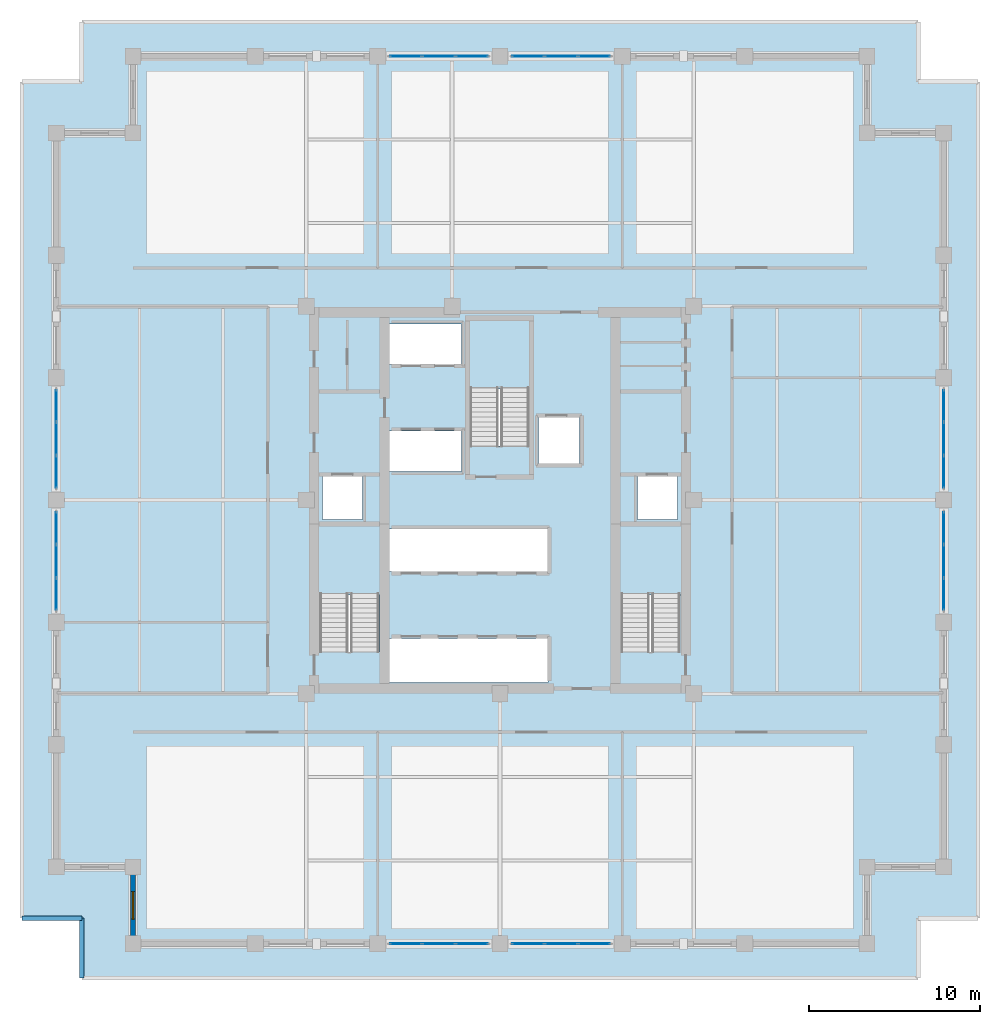
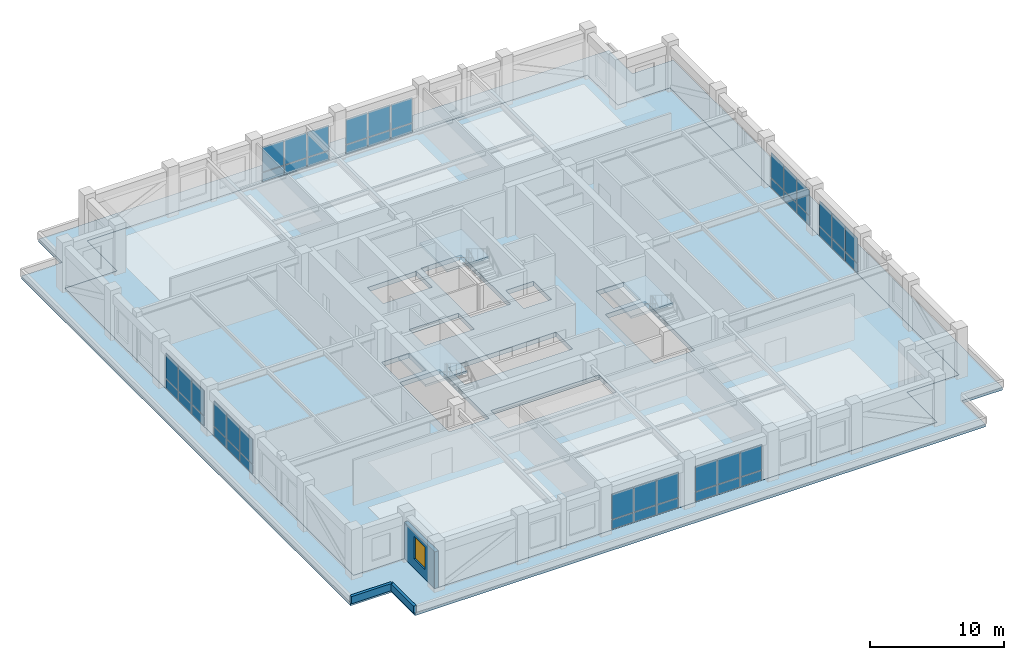
# One storey, part 7 of 16: 48 plates, 5 slabs, 3 walls, 1 window, 1 opening, 11 elements without a shape of their own.
"""IFC4 building model written with IfcOpenShell, lengths in metres."""

import ifcopenshell
import ifcopenshell.guid

model = None  # the IFC model being written
_history = None  # IfcOwnerHistory: only IFC2X3 demands one
_inside = {}  # id of a spatial element -> (the spatial element, [elements in it])
_under = {}  # id of a project, library or spatial element -> (it, [spatial elements below it])
_declared = {}  # id of a project -> (the project, [libraries it declares])
_typed = {}  # id of a type object -> (the type object, [elements of that type])
_made_of = {}  # id of a material, layer set ... -> (it, [elements and type objects made of it])


def new_model(schema):
    """Start an empty IFC model of exactly this schema.

    Asked for "IFC4X3", IfcOpenShell would pick the latest addendum, in which some entities
    have other attributes; the version numbers below select the first issue.
    IFC2X3 requires an IfcOwnerHistory on every rooted entity: one is made here for all.
    """
    global model, _history
    if schema == "IFC4X3":
        model = ifcopenshell.file(schema_version=(4, 3, 0, 0))
    else:
        model = ifcopenshell.file(schema=schema)
    _inside.clear()
    _under.clear()
    _declared.clear()
    _typed.clear()
    _made_of.clear()
    _history = None
    if model.schema == "IFC2X3":
        org = make("IfcOrganization", Name="unknown")
        user = make(
            "IfcPersonAndOrganization",
            ThePerson=make("IfcPerson", FamilyName="unknown"),
            TheOrganization=org,
        )
        app = make(
            "IfcApplication",
            ApplicationDeveloper=org,
            Version="unknown",
            ApplicationFullName="unknown",
            ApplicationIdentifier="unknown",
        )
        _history = make(
            "IfcOwnerHistory",
            OwningUser=user,
            OwningApplication=app,
            ChangeAction="ADDED",
            CreationDate=0,
        )
    return model


def make(cls, **values):
    """One entity of the class cls with the attributes given. An attribute that is None is left unset."""
    return model.create_entity(
        cls, **{name: value for name, value in values.items() if value is not None}
    )


def rooted(cls, **values):
    """An entity with a GlobalId (a new one), such as an element, a storey or a relation."""
    return make(cls, GlobalId=ifcopenshell.guid.new(), OwnerHistory=_history, **values)


def si_unit(unit_type, name, prefix=None):
    """IfcSIUnit, for example si_unit("LENGTHUNIT", "METRE", prefix="MILLI")."""
    return make("IfcSIUnit", UnitType=unit_type, Prefix=prefix, Name=name)


def assignment(units):
    """IfcUnitAssignment: the units of a project."""
    return None if units is None else make("IfcUnitAssignment", Units=units)


def point(xyz):
    """IfcCartesianPoint."""
    return None if xyz is None else make("IfcCartesianPoint", Coordinates=xyz)


def direction(xyz):
    """IfcDirection."""
    return None if xyz is None else make("IfcDirection", DirectionRatios=xyz)


def frame(location, z_axis=None, x_axis=None):
    """IfcAxis2Placement3D, a coordinate frame: its origin and axes. An axis left out is left unset."""
    return make(
        "IfcAxis2Placement3D",
        Location=point(location),
        Axis=direction(z_axis),
        RefDirection=direction(x_axis),
    )


def frame_2d(location, x_axis=None):
    """IfcAxis2Placement2D, a coordinate frame in the plane: its origin and x axis."""
    return make(
        "IfcAxis2Placement2D", Location=point(location), RefDirection=direction(x_axis)
    )


def origin():
    """The frame at (0, 0, 0) with its axes left unset."""
    return frame((0.0, 0.0, 0.0))


def origin_2d():
    """The frame at (0, 0) in the plane with its x axis left unset."""
    return frame_2d((0.0, 0.0))


def place(relative_to, where):
    """IfcLocalPlacement: puts the frame where relative to a parent placement (None: the world)."""
    return make(
        "IfcLocalPlacement", PlacementRelTo=relative_to, RelativePlacement=where
    )


def context(
    kind, dimensions, precision=None, world=None, true_north=None, identifier=None
):
    """IfcGeometricRepresentationContext, for example the 3D "Model" context."""
    return make(
        "IfcGeometricRepresentationContext",
        ContextIdentifier=identifier,
        ContextType=kind,
        CoordinateSpaceDimension=dimensions,
        Precision=precision,
        WorldCoordinateSystem=world,
        TrueNorth=true_north,
    )


def subcontext(parent, identifier, kind, view, scale=None):
    """IfcGeometricRepresentationSubContext, for example "Body" below "Model"."""
    return make(
        "IfcGeometricRepresentationSubContext",
        ContextIdentifier=identifier,
        ContextType=kind,
        ParentContext=parent,
        TargetScale=scale,
        TargetView=view,
    )


def project(units=None, contexts=None):
    """IfcProject with its units and contexts."""
    return rooted(
        "IfcProject",
        Name="project",
        RepresentationContexts=contexts,
        UnitsInContext=assignment(units),
    )


def spatial(cls, under=None, at=None, **own):
    """A site, building, storey or space (cls), placed at a placement, below another one or the project."""
    s = rooted(cls, ObjectPlacement=at, **own)
    if under is not None:
        _under.setdefault(under.id(), (under, []))[1].append(s)
    return s


def polyline(points):
    """IfcPolyline through the points."""
    return make("IfcPolyline", Points=[point(p) for p in points])


def profile(cls, at=None, kind="AREA", **sizes):
    """A parametric profile (cls). Its sizes go by their IFC names, for example OverallWidth=200.0."""
    return make(cls, ProfileType=kind, Position=at, **sizes)


def rectangle(**sizes):
    """IfcRectangleProfileDef."""
    return profile("IfcRectangleProfileDef", **sizes)


def outline(outer, holes=None, kind="AREA"):
    """IfcArbitraryClosedProfileDef: a profile drawn as a closed curve; with holes, ...WithVoids."""
    if holes is None:
        return make("IfcArbitraryClosedProfileDef", ProfileType=kind, OuterCurve=outer)
    return make(
        "IfcArbitraryProfileDefWithVoids",
        ProfileType=kind,
        OuterCurve=outer,
        InnerCurves=holes,
    )


def extrude(swept, where, along, depth):
    """IfcExtrudedAreaSolid: the profile swept, set in the frame where, extruded along a direction by depth."""
    return make(
        "IfcExtrudedAreaSolid",
        SweptArea=swept,
        Position=where,
        ExtrudedDirection=direction(along),
        Depth=depth,
    )


def shape(context_of_items, identifier, shape_type, items):
    """IfcShapeRepresentation: the items that make up one representation, for example the "Body"."""
    return make(
        "IfcShapeRepresentation",
        ContextOfItems=context_of_items,
        RepresentationIdentifier=identifier,
        RepresentationType=shape_type,
        Items=items,
    )


def material(Name=None, Category=None):
    """IfcMaterial."""
    return make("IfcMaterial", Name=Name, Category=Category)


def layer(
    of_material, thickness, ventilated=None, Name=None, Category=None, Priority=None
):
    """IfcMaterialLayer: one layer of a wall or slab, of a material (None: an air gap)."""
    return make(
        "IfcMaterialLayer",
        Material=of_material,
        LayerThickness=thickness,
        IsVentilated=ventilated,
        Name=Name,
        Category=Category,
        Priority=Priority,
    )


def layer_set(layers, Name=None):
    """IfcMaterialLayerSet."""
    return make("IfcMaterialLayerSet", MaterialLayers=layers, LayerSetName=Name)


def made_of(thing, what):
    """Note that an element or type object is made of a material, layer set ...; save() writes the relation."""
    if what is not None:
        _made_of.setdefault(what.id(), (what, []))[1].append(thing)
    return thing


def type_object(cls, material=None, **own):
    """A type object (cls), such as IfcWallType, which elements share."""
    return made_of(rooted(cls, **own), material)


def element(
    cls,
    number,
    at=None,
    inside=None,
    cuts=None,
    type_object=None,
    material=None,
    context=None,
    identifier="Body",
    shape_type=None,
    held_by="IfcProductDefinitionShape",
    body=None,
    shapes=None,
    **own,
):
    """One element of the class cls, such as IfcWall. Its Tag is "e" and its number.

    at: its placement. inside: the storey or other place that contains it. cuts: it is an
    opening in that element (IfcRelVoidsElement). A single representation is given by context,
    identifier, shape_type and body (its items); several are given by shapes. held_by: the class
    of the entity that holds the representations. save() writes the other relations.
    """
    e = rooted(cls, Tag="e%d" % number, ObjectPlacement=at, **own)
    if body is not None:
        shapes = [shape(context, identifier, shape_type, body)]
    if shapes is not None:
        e.Representation = make(held_by, Representations=shapes)
    if inside is not None:
        _inside.setdefault(inside.id(), (inside, []))[1].append(e)
    if cuts is not None:
        rooted(
            "IfcRelVoidsElement", RelatingBuildingElement=cuts, RelatedOpeningElement=e
        )
    if type_object is not None:
        _typed.setdefault(type_object.id(), (type_object, []))[1].append(e)
    return made_of(e, material)


def fill(opening, filler):
    """IfcRelFillsElement: the door or window that sits in an opening."""
    return rooted(
        "IfcRelFillsElement",
        RelatingOpeningElement=opening,
        RelatedBuildingElement=filler,
    )


def aggregate(whole, parts):
    """IfcRelAggregates: a whole, such as a stair, and the parts it consists of."""
    return rooted("IfcRelAggregates", RelatingObject=whole, RelatedObjects=parts)


def save(model, path):
    """Write the relations noted so far, then the file.

    IfcRelAggregates (storeys below a building ...), IfcRelContainedInSpatialStructure (elements
    in a storey), IfcRelDefinesByType, IfcRelAssociatesMaterial and IfcRelDeclares: one each for
    every whole, place, type object, material and project.
    """
    for whole, parts in _under.values():
        aggregate(whole, parts)
    for where, things in _inside.values():
        rooted(
            "IfcRelContainedInSpatialStructure",
            RelatedElements=things,
            RelatingStructure=where,
        )
    for kind, things in _typed.values():
        rooted("IfcRelDefinesByType", RelatedObjects=things, RelatingType=kind)
    for what, things in _made_of.values():
        rooted("IfcRelAssociatesMaterial", RelatedObjects=things, RelatingMaterial=what)
    for by, libraries in _declared.values():
        rooted("IfcRelDeclares", RelatingContext=by, RelatedDefinitions=libraries)
    model.write(path)


model = new_model("IFC4")

# Units and contexts
model_context = context("Model", 3, precision=1e-05, world=origin(), true_north=direction((0.0, 1.0)))
body_context = subcontext(model_context, "Body", "Model", "MODEL_VIEW")
ifc_project = project(units=[si_unit("LENGTHUNIT", "METRE"), si_unit("AREAUNIT", "SQUARE_METRE"), si_unit("VOLUMEUNIT", "CUBIC_METRE"), si_unit("PLANEANGLEUNIT", "RADIAN"), si_unit("MASSUNIT", "GRAM", prefix="KILO")], contexts=[model_context])

# Site, building, storey
site_placement = place(None, origin())
site = spatial("IfcSite", under=ifc_project, at=site_placement, CompositionType="ELEMENT")
building_placement = place(site_placement, origin())
building = spatial("IfcBuilding", under=site, at=building_placement, Name="Nhamokura Convention Tower", CompositionType="ELEMENT")
storey_placement = place(building_placement, frame((0.0, 0.0, 106.050048828125)))
storey = spatial("IfcBuildingStorey", under=building, at=storey_placement, Name="L25", CompositionType="ELEMENT", Elevation=106.050048828125)

# Curtain wall, plates
ifc_material_1 = material(Name="Anodised bronze aluminium AA6063-T6", Category="aluminium")
ifc_layer_1 = layer(ifc_material_1, 0.18994140625)
ifc_layer_set_1 = layer_set([ifc_layer_1], Name="CWSystem_SkyLobby")
curtain_wall_type = type_object("IfcCurtainWallType", Name="CWSystem_SkyLobby", PredefinedType="NOTDEFINED", material=ifc_layer_set_1)
curtain_wall_1_placement = place(storey_placement, origin())
curtain_wall_1 = element("IfcCurtainWall", 1, at=curtain_wall_1_placement, inside=storey, type_object=curtain_wall_type, Name="L25 Curtain Wall ENV-L25-CW-S2", PredefinedType="NOTDEFINED")
ifc_material_2 = material(Name="Solar-control bronze low-E double glass", Category="glass")
ifc_layer_2 = layer(ifc_material_2, 0.0400390625)
ifc_layer_set_2 = layer_set([ifc_layer_2], Name="CWGlazedPanel_3")
plate_type = type_object("IfcPlateType", Name="CWGlazedPanel_3", PredefinedType="CURTAIN_PANEL", material=ifc_layer_set_2)
plate_1_placement = place(storey_placement, frame((30.353515625, 6.0, 0.074951171875), z_axis=(0.0, 0.0, 1.0), x_axis=(-1.0, 0.0, 0.0)))
plate_1 = element("IfcPlate", 2, at=plate_1_placement, type_object=plate_type, Name="CW-06 panel 1.1", PredefinedType="CURTAIN_PANEL", context=body_context, shape_type="SweptSolid", body=[
    extrude(rectangle(XDim=1.843017578125, YDim=0.0400390625, at=origin_2d()), origin(), (0.0, 0.0, 1.0), 0.83740234375),
])
plate_2_placement = place(storey_placement, frame((30.353515625, 6.0, 0.9873046875), z_axis=(0.0, 0.0, 1.0), x_axis=(-1.0, 0.0, 0.0)))
plate_2 = element("IfcPlate", 3, at=plate_2_placement, type_object=plate_type, Name="CW-06 panel 1.2", PredefinedType="CURTAIN_PANEL", context=body_context, shape_type="SweptSolid", body=[
    extrude(rectangle(XDim=1.843017578125, YDim=0.0400390625, at=origin_2d()), origin(), (0.0, 0.0, 1.0), 2.267578125),
])
plate_3_placement = place(storey_placement, frame((28.416748046875, 6.0, 0.074951171875), z_axis=(0.0, 0.0, 1.0), x_axis=(-1.0, 0.0, 0.0)))
plate_3 = element("IfcPlate", 4, at=plate_3_placement, type_object=plate_type, Name="CW-06 panel 2.1", PredefinedType="CURTAIN_PANEL", context=body_context, shape_type="SweptSolid", body=[
    extrude(rectangle(XDim=1.880615234375, YDim=0.0400390625, at=origin_2d()), origin(), (0.0, 0.0, 1.0), 0.83740234375),
])
plate_4_placement = place(storey_placement, frame((28.416748046875, 6.0, 0.9873046875), z_axis=(0.0, 0.0, 1.0), x_axis=(-1.0, 0.0, 0.0)))
plate_4 = element("IfcPlate", 5, at=plate_4_placement, type_object=plate_type, Name="CW-06 panel 2.2", PredefinedType="CURTAIN_PANEL", context=body_context, shape_type="SweptSolid", body=[
    extrude(rectangle(XDim=1.880615234375, YDim=0.0400390625, at=origin_2d()), origin(), (0.0, 0.0, 1.0), 2.267578125),
])
plate_5_placement = place(storey_placement, frame((26.479736328125, 6.0, 0.074951171875), z_axis=(0.0, 0.0, 1.0), x_axis=(-1.0, 0.0, 0.0)))
plate_5 = element("IfcPlate", 6, at=plate_5_placement, type_object=plate_type, Name="CW-06 panel 3.1", PredefinedType="CURTAIN_PANEL", context=body_context, shape_type="SweptSolid", body=[
    extrude(rectangle(XDim=1.843017578125, YDim=0.0400390625, at=origin_2d()), origin(), (0.0, 0.0, 1.0), 0.83740234375),
])
plate_6_placement = place(storey_placement, frame((26.479736328125, 6.0, 0.9873046875), z_axis=(0.0, 0.0, 1.0), x_axis=(-1.0, 0.0, 0.0)))
plate_6 = element("IfcPlate", 7, at=plate_6_placement, type_object=plate_type, Name="CW-06 panel 3.2", PredefinedType="CURTAIN_PANEL", context=body_context, shape_type="SweptSolid", body=[
    extrude(rectangle(XDim=1.843017578125, YDim=0.0400390625, at=origin_2d()), origin(), (0.0, 0.0, 1.0), 2.267578125),
])
aggregate(curtain_wall_1, [plate_1, plate_2, plate_3, plate_4, plate_5, plate_6])

curtain_wall_2_placement = place(storey_placement, origin())
curtain_wall_2 = element("IfcCurtainWall", 8, at=curtain_wall_2_placement, inside=storey, type_object=curtain_wall_type, Name="L25 Curtain Wall ENV-L25-CW-S3", PredefinedType="NOTDEFINED")
plate_7_placement = place(storey_placement, frame((37.520263671875, 6.0, 0.074951171875), z_axis=(0.0, 0.0, 1.0), x_axis=(-1.0, 0.0, 0.0)))
plate_7 = element("IfcPlate", 9, at=plate_7_placement, type_object=plate_type, Name="CW-06 panel 1.1", PredefinedType="CURTAIN_PANEL", context=body_context, shape_type="SweptSolid", body=[
    extrude(rectangle(XDim=1.843017578125, YDim=0.0400390625, at=origin_2d()), origin(), (0.0, 0.0, 1.0), 0.83740234375),
])
plate_8_placement = place(storey_placement, frame((37.520263671875, 6.0, 0.9873046875), z_axis=(0.0, 0.0, 1.0), x_axis=(-1.0, 0.0, 0.0)))
plate_8 = element("IfcPlate", 10, at=plate_8_placement, type_object=plate_type, Name="CW-06 panel 1.2", PredefinedType="CURTAIN_PANEL", context=body_context, shape_type="SweptSolid", body=[
    extrude(rectangle(XDim=1.843017578125, YDim=0.0400390625, at=origin_2d()), origin(), (0.0, 0.0, 1.0), 2.267578125),
])
plate_9_placement = place(storey_placement, frame((35.583251953125, 6.0, 0.074951171875), z_axis=(0.0, 0.0, 1.0), x_axis=(-1.0, 0.0, 0.0)))
plate_9 = element("IfcPlate", 11, at=plate_9_placement, type_object=plate_type, Name="CW-06 panel 2.1", PredefinedType="CURTAIN_PANEL", context=body_context, shape_type="SweptSolid", body=[
    extrude(rectangle(XDim=1.880615234375, YDim=0.0400390625, at=origin_2d()), origin(), (0.0, 0.0, 1.0), 0.83740234375),
])
plate_10_placement = place(storey_placement, frame((35.583251953125, 6.0, 0.9873046875), z_axis=(0.0, 0.0, 1.0), x_axis=(-1.0, 0.0, 0.0)))
plate_10 = element("IfcPlate", 12, at=plate_10_placement, type_object=plate_type, Name="CW-06 panel 2.2", PredefinedType="CURTAIN_PANEL", context=body_context, shape_type="SweptSolid", body=[
    extrude(rectangle(XDim=1.880615234375, YDim=0.0400390625, at=origin_2d()), origin(), (0.0, 0.0, 1.0), 2.267578125),
])
plate_11_placement = place(storey_placement, frame((33.646484375, 6.0, 0.074951171875), z_axis=(0.0, 0.0, 1.0), x_axis=(-1.0, 0.0, 0.0)))
plate_11 = element("IfcPlate", 13, at=plate_11_placement, type_object=plate_type, Name="CW-06 panel 3.1", PredefinedType="CURTAIN_PANEL", context=body_context, shape_type="SweptSolid", body=[
    extrude(rectangle(XDim=1.843017578125, YDim=0.0400390625, at=origin_2d()), origin(), (0.0, 0.0, 1.0), 0.83740234375),
])
plate_12_placement = place(storey_placement, frame((33.646484375, 6.0, 0.9873046875), z_axis=(0.0, 0.0, 1.0), x_axis=(-1.0, 0.0, 0.0)))
plate_12 = element("IfcPlate", 14, at=plate_12_placement, type_object=plate_type, Name="CW-06 panel 3.2", PredefinedType="CURTAIN_PANEL", context=body_context, shape_type="SweptSolid", body=[
    extrude(rectangle(XDim=1.843017578125, YDim=0.0400390625, at=origin_2d()), origin(), (0.0, 0.0, 1.0), 2.267578125),
])
aggregate(curtain_wall_2, [plate_7, plate_8, plate_9, plate_10, plate_11, plate_12])

curtain_wall_3_placement = place(storey_placement, origin())
curtain_wall_3 = element("IfcCurtainWall", 15, at=curtain_wall_3_placement, inside=storey, type_object=curtain_wall_type, Name="L25 Curtain Wall ENV-L25-CW-N2", PredefinedType="NOTDEFINED")
plate_13_placement = place(storey_placement, frame((26.479736328125, 58.0, 0.074951171875), z_axis=(0.0, 0.0, 1.0), x_axis=(1.0, 0.0, 0.0)))
plate_13 = element("IfcPlate", 16, at=plate_13_placement, type_object=plate_type, Name="CW-06 panel 1.1", PredefinedType="CURTAIN_PANEL", context=body_context, shape_type="SweptSolid", body=[
    extrude(rectangle(XDim=1.843017578125, YDim=0.0400390625, at=origin_2d()), origin(), (0.0, 0.0, 1.0), 0.83740234375),
])
plate_14_placement = place(storey_placement, frame((26.479736328125, 58.0, 0.9873046875), z_axis=(0.0, 0.0, 1.0), x_axis=(1.0, 0.0, 0.0)))
plate_14 = element("IfcPlate", 17, at=plate_14_placement, type_object=plate_type, Name="CW-06 panel 1.2", PredefinedType="CURTAIN_PANEL", context=body_context, shape_type="SweptSolid", body=[
    extrude(rectangle(XDim=1.843017578125, YDim=0.0400390625, at=origin_2d()), origin(), (0.0, 0.0, 1.0), 2.267578125),
])
plate_15_placement = place(storey_placement, frame((28.416748046875, 58.0, 0.074951171875), z_axis=(0.0, 0.0, 1.0), x_axis=(1.0, 0.0, 0.0)))
plate_15 = element("IfcPlate", 18, at=plate_15_placement, type_object=plate_type, Name="CW-06 panel 2.1", PredefinedType="CURTAIN_PANEL", context=body_context, shape_type="SweptSolid", body=[
    extrude(rectangle(XDim=1.880615234375, YDim=0.0400390625, at=origin_2d()), origin(), (0.0, 0.0, 1.0), 0.83740234375),
])
plate_16_placement = place(storey_placement, frame((28.416748046875, 58.0, 0.9873046875), z_axis=(0.0, 0.0, 1.0), x_axis=(1.0, 0.0, 0.0)))
plate_16 = element("IfcPlate", 19, at=plate_16_placement, type_object=plate_type, Name="CW-06 panel 2.2", PredefinedType="CURTAIN_PANEL", context=body_context, shape_type="SweptSolid", body=[
    extrude(rectangle(XDim=1.880615234375, YDim=0.0400390625, at=origin_2d()), origin(), (0.0, 0.0, 1.0), 2.267578125),
])
plate_17_placement = place(storey_placement, frame((30.353515625, 58.0, 0.074951171875), z_axis=(0.0, 0.0, 1.0), x_axis=(1.0, 0.0, 0.0)))
plate_17 = element("IfcPlate", 20, at=plate_17_placement, type_object=plate_type, Name="CW-06 panel 3.1", PredefinedType="CURTAIN_PANEL", context=body_context, shape_type="SweptSolid", body=[
    extrude(rectangle(XDim=1.843017578125, YDim=0.0400390625, at=origin_2d()), origin(), (0.0, 0.0, 1.0), 0.83740234375),
])
plate_18_placement = place(storey_placement, frame((30.353515625, 58.0, 0.9873046875), z_axis=(0.0, 0.0, 1.0), x_axis=(1.0, 0.0, 0.0)))
plate_18 = element("IfcPlate", 21, at=plate_18_placement, type_object=plate_type, Name="CW-06 panel 3.2", PredefinedType="CURTAIN_PANEL", context=body_context, shape_type="SweptSolid", body=[
    extrude(rectangle(XDim=1.843017578125, YDim=0.0400390625, at=origin_2d()), origin(), (0.0, 0.0, 1.0), 2.267578125),
])
aggregate(curtain_wall_3, [plate_13, plate_14, plate_15, plate_16, plate_17, plate_18])

curtain_wall_4_placement = place(storey_placement, origin())
curtain_wall_4 = element("IfcCurtainWall", 22, at=curtain_wall_4_placement, inside=storey, type_object=curtain_wall_type, Name="L25 Curtain Wall ENV-L25-CW-N3", PredefinedType="NOTDEFINED")
plate_19_placement = place(storey_placement, frame((33.646484375, 58.0, 0.074951171875), z_axis=(0.0, 0.0, 1.0), x_axis=(1.0, 0.0, 0.0)))
plate_19 = element("IfcPlate", 23, at=plate_19_placement, type_object=plate_type, Name="CW-06 panel 1.1", PredefinedType="CURTAIN_PANEL", context=body_context, shape_type="SweptSolid", body=[
    extrude(rectangle(XDim=1.843017578125, YDim=0.0400390625, at=origin_2d()), origin(), (0.0, 0.0, 1.0), 0.83740234375),
])
plate_20_placement = place(storey_placement, frame((33.646484375, 58.0, 0.9873046875), z_axis=(0.0, 0.0, 1.0), x_axis=(1.0, 0.0, 0.0)))
plate_20 = element("IfcPlate", 24, at=plate_20_placement, type_object=plate_type, Name="CW-06 panel 1.2", PredefinedType="CURTAIN_PANEL", context=body_context, shape_type="SweptSolid", body=[
    extrude(rectangle(XDim=1.843017578125, YDim=0.0400390625, at=origin_2d()), origin(), (0.0, 0.0, 1.0), 2.267578125),
])
plate_21_placement = place(storey_placement, frame((35.583251953125, 58.0, 0.074951171875), z_axis=(0.0, 0.0, 1.0), x_axis=(1.0, 0.0, 0.0)))
plate_21 = element("IfcPlate", 25, at=plate_21_placement, type_object=plate_type, Name="CW-06 panel 2.1", PredefinedType="CURTAIN_PANEL", context=body_context, shape_type="SweptSolid", body=[
    extrude(rectangle(XDim=1.880615234375, YDim=0.0400390625, at=origin_2d()), origin(), (0.0, 0.0, 1.0), 0.83740234375),
])
plate_22_placement = place(storey_placement, frame((35.583251953125, 58.0, 0.9873046875), z_axis=(0.0, 0.0, 1.0), x_axis=(1.0, 0.0, 0.0)))
plate_22 = element("IfcPlate", 26, at=plate_22_placement, type_object=plate_type, Name="CW-06 panel 2.2", PredefinedType="CURTAIN_PANEL", context=body_context, shape_type="SweptSolid", body=[
    extrude(rectangle(XDim=1.880615234375, YDim=0.0400390625, at=origin_2d()), origin(), (0.0, 0.0, 1.0), 2.267578125),
])
plate_23_placement = place(storey_placement, frame((37.520263671875, 58.0, 0.074951171875), z_axis=(0.0, 0.0, 1.0), x_axis=(1.0, 0.0, 0.0)))
plate_23 = element("IfcPlate", 27, at=plate_23_placement, type_object=plate_type, Name="CW-06 panel 3.1", PredefinedType="CURTAIN_PANEL", context=body_context, shape_type="SweptSolid", body=[
    extrude(rectangle(XDim=1.843017578125, YDim=0.0400390625, at=origin_2d()), origin(), (0.0, 0.0, 1.0), 0.83740234375),
])
plate_24_placement = place(storey_placement, frame((37.520263671875, 58.0, 0.9873046875), z_axis=(0.0, 0.0, 1.0), x_axis=(1.0, 0.0, 0.0)))
plate_24 = element("IfcPlate", 28, at=plate_24_placement, type_object=plate_type, Name="CW-06 panel 3.2", PredefinedType="CURTAIN_PANEL", context=body_context, shape_type="SweptSolid", body=[
    extrude(rectangle(XDim=1.843017578125, YDim=0.0400390625, at=origin_2d()), origin(), (0.0, 0.0, 1.0), 2.267578125),
])
aggregate(curtain_wall_4, [plate_19, plate_20, plate_21, plate_22, plate_23, plate_24])

curtain_wall_5_placement = place(storey_placement, origin())
curtain_wall_5 = element("IfcCurtainWall", 29, at=curtain_wall_5_placement, inside=storey, type_object=curtain_wall_type, Name="L25 Curtain Wall ENV-L25-CW-W2", PredefinedType="NOTDEFINED")
plate_25_placement = place(storey_placement, frame((6.0, 26.479736328125, 0.074951171875), z_axis=(0.0, 0.0, 1.0), x_axis=(0.0, 1.0, 0.0)))
plate_25 = element("IfcPlate", 30, at=plate_25_placement, type_object=plate_type, Name="CW-06 panel 1.1", PredefinedType="CURTAIN_PANEL", context=body_context, shape_type="SweptSolid", body=[
    extrude(rectangle(XDim=1.843017578125, YDim=0.0400390625, at=origin_2d()), origin(), (0.0, 0.0, 1.0), 0.83740234375),
])
plate_26_placement = place(storey_placement, frame((6.0, 26.479736328125, 0.9873046875), z_axis=(0.0, 0.0, 1.0), x_axis=(0.0, 1.0, 0.0)))
plate_26 = element("IfcPlate", 31, at=plate_26_placement, type_object=plate_type, Name="CW-06 panel 1.2", PredefinedType="CURTAIN_PANEL", context=body_context, shape_type="SweptSolid", body=[
    extrude(rectangle(XDim=1.843017578125, YDim=0.0400390625, at=origin_2d()), origin(), (0.0, 0.0, 1.0), 2.267578125),
])
plate_27_placement = place(storey_placement, frame((6.0, 28.416748046875, 0.074951171875), z_axis=(0.0, 0.0, 1.0), x_axis=(0.0, 1.0, 0.0)))
plate_27 = element("IfcPlate", 32, at=plate_27_placement, type_object=plate_type, Name="CW-06 panel 2.1", PredefinedType="CURTAIN_PANEL", context=body_context, shape_type="SweptSolid", body=[
    extrude(rectangle(XDim=1.880615234375, YDim=0.0400390625, at=origin_2d()), origin(), (0.0, 0.0, 1.0), 0.83740234375),
])
plate_28_placement = place(storey_placement, frame((6.0, 28.416748046875, 0.9873046875), z_axis=(0.0, 0.0, 1.0), x_axis=(0.0, 1.0, 0.0)))
plate_28 = element("IfcPlate", 33, at=plate_28_placement, type_object=plate_type, Name="CW-06 panel 2.2", PredefinedType="CURTAIN_PANEL", context=body_context, shape_type="SweptSolid", body=[
    extrude(rectangle(XDim=1.880615234375, YDim=0.0400390625, at=origin_2d()), origin(), (0.0, 0.0, 1.0), 2.267578125),
])
plate_29_placement = place(storey_placement, frame((6.0, 30.353515625, 0.074951171875), z_axis=(0.0, 0.0, 1.0), x_axis=(0.0, 1.0, 0.0)))
plate_29 = element("IfcPlate", 34, at=plate_29_placement, type_object=plate_type, Name="CW-06 panel 3.1", PredefinedType="CURTAIN_PANEL", context=body_context, shape_type="SweptSolid", body=[
    extrude(rectangle(XDim=1.843017578125, YDim=0.0400390625, at=origin_2d()), origin(), (0.0, 0.0, 1.0), 0.83740234375),
])
plate_30_placement = place(storey_placement, frame((6.0, 30.353515625, 0.9873046875), z_axis=(0.0, 0.0, 1.0), x_axis=(0.0, 1.0, 0.0)))
plate_30 = element("IfcPlate", 35, at=plate_30_placement, type_object=plate_type, Name="CW-06 panel 3.2", PredefinedType="CURTAIN_PANEL", context=body_context, shape_type="SweptSolid", body=[
    extrude(rectangle(XDim=1.843017578125, YDim=0.0400390625, at=origin_2d()), origin(), (0.0, 0.0, 1.0), 2.267578125),
])
aggregate(curtain_wall_5, [plate_25, plate_26, plate_27, plate_28, plate_29, plate_30])

curtain_wall_6_placement = place(storey_placement, origin())
curtain_wall_6 = element("IfcCurtainWall", 36, at=curtain_wall_6_placement, inside=storey, type_object=curtain_wall_type, Name="L25 Curtain Wall ENV-L25-CW-W3", PredefinedType="NOTDEFINED")
plate_31_placement = place(storey_placement, frame((6.0, 33.646484375, 0.074951171875), z_axis=(0.0, 0.0, 1.0), x_axis=(0.0, 1.0, 0.0)))
plate_31 = element("IfcPlate", 37, at=plate_31_placement, type_object=plate_type, Name="CW-06 panel 1.1", PredefinedType="CURTAIN_PANEL", context=body_context, shape_type="SweptSolid", body=[
    extrude(rectangle(XDim=1.843017578125, YDim=0.0400390625, at=origin_2d()), origin(), (0.0, 0.0, 1.0), 0.83740234375),
])
plate_32_placement = place(storey_placement, frame((6.0, 33.646484375, 0.9873046875), z_axis=(0.0, 0.0, 1.0), x_axis=(0.0, 1.0, 0.0)))
plate_32 = element("IfcPlate", 38, at=plate_32_placement, type_object=plate_type, Name="CW-06 panel 1.2", PredefinedType="CURTAIN_PANEL", context=body_context, shape_type="SweptSolid", body=[
    extrude(rectangle(XDim=1.843017578125, YDim=0.0400390625, at=origin_2d()), origin(), (0.0, 0.0, 1.0), 2.267578125),
])
plate_33_placement = place(storey_placement, frame((6.0, 35.583251953125, 0.074951171875), z_axis=(0.0, 0.0, 1.0), x_axis=(0.0, 1.0, 0.0)))
plate_33 = element("IfcPlate", 39, at=plate_33_placement, type_object=plate_type, Name="CW-06 panel 2.1", PredefinedType="CURTAIN_PANEL", context=body_context, shape_type="SweptSolid", body=[
    extrude(rectangle(XDim=1.880615234375, YDim=0.0400390625, at=origin_2d()), origin(), (0.0, 0.0, 1.0), 0.83740234375),
])
plate_34_placement = place(storey_placement, frame((6.0, 35.583251953125, 0.9873046875), z_axis=(0.0, 0.0, 1.0), x_axis=(0.0, 1.0, 0.0)))
plate_34 = element("IfcPlate", 40, at=plate_34_placement, type_object=plate_type, Name="CW-06 panel 2.2", PredefinedType="CURTAIN_PANEL", context=body_context, shape_type="SweptSolid", body=[
    extrude(rectangle(XDim=1.880615234375, YDim=0.0400390625, at=origin_2d()), origin(), (0.0, 0.0, 1.0), 2.267578125),
])
plate_35_placement = place(storey_placement, frame((6.0, 37.520263671875, 0.074951171875), z_axis=(0.0, 0.0, 1.0), x_axis=(0.0, 1.0, 0.0)))
plate_35 = element("IfcPlate", 41, at=plate_35_placement, type_object=plate_type, Name="CW-06 panel 3.1", PredefinedType="CURTAIN_PANEL", context=body_context, shape_type="SweptSolid", body=[
    extrude(rectangle(XDim=1.843017578125, YDim=0.0400390625, at=origin_2d()), origin(), (0.0, 0.0, 1.0), 0.83740234375),
])
plate_36_placement = place(storey_placement, frame((6.0, 37.520263671875, 0.9873046875), z_axis=(0.0, 0.0, 1.0), x_axis=(0.0, 1.0, 0.0)))
plate_36 = element("IfcPlate", 42, at=plate_36_placement, type_object=plate_type, Name="CW-06 panel 3.2", PredefinedType="CURTAIN_PANEL", context=body_context, shape_type="SweptSolid", body=[
    extrude(rectangle(XDim=1.843017578125, YDim=0.0400390625, at=origin_2d()), origin(), (0.0, 0.0, 1.0), 2.267578125),
])
aggregate(curtain_wall_6, [plate_31, plate_32, plate_33, plate_34, plate_35, plate_36])

curtain_wall_7_placement = place(storey_placement, origin())
curtain_wall_7 = element("IfcCurtainWall", 43, at=curtain_wall_7_placement, inside=storey, type_object=curtain_wall_type, Name="L25 Curtain Wall ENV-L25-CW-E2", PredefinedType="NOTDEFINED")
plate_37_placement = place(storey_placement, frame((58.0, 30.353515625, 0.074951171875), z_axis=(0.0, 0.0, 1.0), x_axis=(0.0, -1.0, 0.0)))
plate_37 = element("IfcPlate", 44, at=plate_37_placement, type_object=plate_type, Name="CW-06 panel 1.1", PredefinedType="CURTAIN_PANEL", context=body_context, shape_type="SweptSolid", body=[
    extrude(rectangle(XDim=1.843017578125, YDim=0.0400390625, at=origin_2d()), origin(), (0.0, 0.0, 1.0), 0.83740234375),
])
plate_38_placement = place(storey_placement, frame((58.0, 30.353515625, 0.9873046875), z_axis=(0.0, 0.0, 1.0), x_axis=(0.0, -1.0, 0.0)))
plate_38 = element("IfcPlate", 45, at=plate_38_placement, type_object=plate_type, Name="CW-06 panel 1.2", PredefinedType="CURTAIN_PANEL", context=body_context, shape_type="SweptSolid", body=[
    extrude(rectangle(XDim=1.843017578125, YDim=0.0400390625, at=origin_2d()), origin(), (0.0, 0.0, 1.0), 2.267578125),
])
plate_39_placement = place(storey_placement, frame((58.0, 28.416748046875, 0.074951171875), z_axis=(0.0, 0.0, 1.0), x_axis=(0.0, -1.0, 0.0)))
plate_39 = element("IfcPlate", 46, at=plate_39_placement, type_object=plate_type, Name="CW-06 panel 2.1", PredefinedType="CURTAIN_PANEL", context=body_context, shape_type="SweptSolid", body=[
    extrude(rectangle(XDim=1.880615234375, YDim=0.0400390625, at=origin_2d()), origin(), (0.0, 0.0, 1.0), 0.83740234375),
])
plate_40_placement = place(storey_placement, frame((58.0, 28.416748046875, 0.9873046875), z_axis=(0.0, 0.0, 1.0), x_axis=(0.0, -1.0, 0.0)))
plate_40 = element("IfcPlate", 47, at=plate_40_placement, type_object=plate_type, Name="CW-06 panel 2.2", PredefinedType="CURTAIN_PANEL", context=body_context, shape_type="SweptSolid", body=[
    extrude(rectangle(XDim=1.880615234375, YDim=0.0400390625, at=origin_2d()), origin(), (0.0, 0.0, 1.0), 2.267578125),
])
plate_41_placement = place(storey_placement, frame((58.0, 26.479736328125, 0.074951171875), z_axis=(0.0, 0.0, 1.0), x_axis=(0.0, -1.0, 0.0)))
plate_41 = element("IfcPlate", 48, at=plate_41_placement, type_object=plate_type, Name="CW-06 panel 3.1", PredefinedType="CURTAIN_PANEL", context=body_context, shape_type="SweptSolid", body=[
    extrude(rectangle(XDim=1.843017578125, YDim=0.0400390625, at=origin_2d()), origin(), (0.0, 0.0, 1.0), 0.83740234375),
])
plate_42_placement = place(storey_placement, frame((58.0, 26.479736328125, 0.9873046875), z_axis=(0.0, 0.0, 1.0), x_axis=(0.0, -1.0, 0.0)))
plate_42 = element("IfcPlate", 49, at=plate_42_placement, type_object=plate_type, Name="CW-06 panel 3.2", PredefinedType="CURTAIN_PANEL", context=body_context, shape_type="SweptSolid", body=[
    extrude(rectangle(XDim=1.843017578125, YDim=0.0400390625, at=origin_2d()), origin(), (0.0, 0.0, 1.0), 2.267578125),
])
aggregate(curtain_wall_7, [plate_37, plate_38, plate_39, plate_40, plate_41, plate_42])

curtain_wall_8_placement = place(storey_placement, origin())
curtain_wall_8 = element("IfcCurtainWall", 50, at=curtain_wall_8_placement, inside=storey, type_object=curtain_wall_type, Name="L25 Curtain Wall ENV-L25-CW-E3", PredefinedType="NOTDEFINED")
plate_43_placement = place(storey_placement, frame((58.0, 37.520263671875, 0.074951171875), z_axis=(0.0, 0.0, 1.0), x_axis=(0.0, -1.0, 0.0)))
plate_43 = element("IfcPlate", 51, at=plate_43_placement, type_object=plate_type, Name="CW-06 panel 1.1", PredefinedType="CURTAIN_PANEL", context=body_context, shape_type="SweptSolid", body=[
    extrude(rectangle(XDim=1.843017578125, YDim=0.0400390625, at=origin_2d()), origin(), (0.0, 0.0, 1.0), 0.83740234375),
])
plate_44_placement = place(storey_placement, frame((58.0, 37.520263671875, 0.9873046875), z_axis=(0.0, 0.0, 1.0), x_axis=(0.0, -1.0, 0.0)))
plate_44 = element("IfcPlate", 52, at=plate_44_placement, type_object=plate_type, Name="CW-06 panel 1.2", PredefinedType="CURTAIN_PANEL", context=body_context, shape_type="SweptSolid", body=[
    extrude(rectangle(XDim=1.843017578125, YDim=0.0400390625, at=origin_2d()), origin(), (0.0, 0.0, 1.0), 2.267578125),
])
plate_45_placement = place(storey_placement, frame((58.0, 35.583251953125, 0.074951171875), z_axis=(0.0, 0.0, 1.0), x_axis=(0.0, -1.0, 0.0)))
plate_45 = element("IfcPlate", 53, at=plate_45_placement, type_object=plate_type, Name="CW-06 panel 2.1", PredefinedType="CURTAIN_PANEL", context=body_context, shape_type="SweptSolid", body=[
    extrude(rectangle(XDim=1.880615234375, YDim=0.0400390625, at=origin_2d()), origin(), (0.0, 0.0, 1.0), 0.83740234375),
])
plate_46_placement = place(storey_placement, frame((58.0, 35.583251953125, 0.9873046875), z_axis=(0.0, 0.0, 1.0), x_axis=(0.0, -1.0, 0.0)))
plate_46 = element("IfcPlate", 54, at=plate_46_placement, type_object=plate_type, Name="CW-06 panel 2.2", PredefinedType="CURTAIN_PANEL", context=body_context, shape_type="SweptSolid", body=[
    extrude(rectangle(XDim=1.880615234375, YDim=0.0400390625, at=origin_2d()), origin(), (0.0, 0.0, 1.0), 2.267578125),
])
plate_47_placement = place(storey_placement, frame((58.0, 33.646484375, 0.074951171875), z_axis=(0.0, 0.0, 1.0), x_axis=(0.0, -1.0, 0.0)))
plate_47 = element("IfcPlate", 55, at=plate_47_placement, type_object=plate_type, Name="CW-06 panel 3.1", PredefinedType="CURTAIN_PANEL", context=body_context, shape_type="SweptSolid", body=[
    extrude(rectangle(XDim=1.843017578125, YDim=0.0400390625, at=origin_2d()), origin(), (0.0, 0.0, 1.0), 0.83740234375),
])
plate_48_placement = place(storey_placement, frame((58.0, 33.646484375, 0.9873046875), z_axis=(0.0, 0.0, 1.0), x_axis=(0.0, -1.0, 0.0)))
plate_48 = element("IfcPlate", 56, at=plate_48_placement, type_object=plate_type, Name="CW-06 panel 3.2", PredefinedType="CURTAIN_PANEL", context=body_context, shape_type="SweptSolid", body=[
    extrude(rectangle(XDim=1.843017578125, YDim=0.0400390625, at=origin_2d()), origin(), (0.0, 0.0, 1.0), 2.267578125),
])
aggregate(curtain_wall_8, [plate_43, plate_44, plate_45, plate_46, plate_47, plate_48])

# Stair, slab
ifc_material_3 = material(Name="Concrete C40/50", Category="concrete")
stair_type = type_object("IfcStairType", Name="TowerCoreStair_1650", PredefinedType="HALF_TURN_STAIR", material=ifc_material_3)
stair_1_placement = place(storey_placement, origin())
stair_1 = element("IfcStair", 57, at=stair_1_placement, inside=storey, type_object=stair_type, Name="L25 West Core Smokeproof Stair ST-01", PredefinedType="HALF_TURN_STAIR")
ifc_material_4 = material(Name="Concrete C40/50", Category="concrete")
ifc_layer_3 = layer(ifc_material_4, 0.199951171875)
ifc_layer_set_3 = layer_set([ifc_layer_3], Name="StairLandingSlab_200")
slab_type_1 = type_object("IfcSlabType", Name="StairLandingSlab_200", PredefinedType="LANDING", material=ifc_layer_set_3)
slab_1_placement = place(storey_placement, frame((0.0, 0.0, 2.074951171875)))
slab_1 = element("IfcSlab", 58, at=slab_1_placement, type_object=slab_type_1, Name="ST-01 landing 1", PredefinedType="LANDING", context=body_context, shape_type="SweptSolid", body=[
    extrude(outline(polyline([(24.97998046875, 26.43994140625), (24.97998046875, 30.530029296875), (21.3701171875, 30.530029296875), (21.3701171875, 26.43994140625), (24.97998046875, 26.43994140625)])), origin(), (0.0, 0.0, 1.0), 0.199951171875),
])
aggregate(stair_1, [slab_1])

stair_2_placement = place(storey_placement, origin())
stair_2 = element("IfcStair", 59, at=stair_2_placement, inside=storey, type_object=stair_type, Name="L25 East Core Smokeproof Stair ST-02", PredefinedType="HALF_TURN_STAIR")
slab_2_placement = place(storey_placement, frame((0.0, 0.0, 2.074951171875)))
slab_2 = element("IfcSlab", 60, at=slab_2_placement, type_object=slab_type_1, Name="ST-02 landing 1", PredefinedType="LANDING", context=body_context, shape_type="SweptSolid", body=[
    extrude(outline(polyline([(42.6298828125, 26.43994140625), (42.6298828125, 30.530029296875), (39.02001953125, 30.530029296875), (39.02001953125, 26.43994140625), (42.6298828125, 26.43994140625)])), origin(), (0.0, 0.0, 1.0), 0.199951171875),
])
aggregate(stair_2, [slab_2])

stair_3_placement = place(storey_placement, origin())
stair_3 = element("IfcStair", 61, at=stair_3_placement, inside=storey, type_object=stair_type, Name="L25 North Core Smokeproof Stair ST-03", PredefinedType="HALF_TURN_STAIR")
slab_3_placement = place(storey_placement, frame((0.0, 0.0, 2.074951171875)))
slab_3 = element("IfcSlab", 62, at=slab_3_placement, type_object=slab_type_1, Name="ST-03 landing 1", PredefinedType="LANDING", context=body_context, shape_type="SweptSolid", body=[
    extrude(outline(polyline([(33.780029296875, 38.489990234375), (33.780029296875, 42.580078125), (30.169921875, 42.580078125), (30.169921875, 38.489990234375), (33.780029296875, 38.489990234375)])), origin(), (0.0, 0.0, 1.0), 0.199951171875),
])
aggregate(stair_3, [slab_3])

# Slabs
ifc_material_5 = material(Name="Concrete C40/50", Category="concrete")
ifc_layer_4 = layer(ifc_material_5, 0.25)
ifc_layer_set_4 = layer_set([ifc_layer_4], Name="TerraceRoofSlab_250")
slab_type_2 = type_object("IfcSlabType", Name="TerraceRoofSlab_250", PredefinedType="ROOF", material=ifc_layer_set_4)
slab_4_placement = place(storey_placement, frame((0.0, 0.0, -0.25)))
element("IfcSlab", 63, at=slab_4_placement, inside=storey, type_object=slab_type_2, Name="L25 Setback Terrace Roof Slab", PredefinedType="ROOF", context=body_context, shape_type="SweptSolid", body=[
    extrude(outline(polyline([(7.5, 4.0), (56.5, 4.0), (56.5, 7.5), (60.0, 7.5), (60.0, 56.5), (56.5, 56.5), (56.5, 60.0), (7.5, 60.0), (7.5, 56.5), (4.0, 56.5), (4.0, 7.5), (7.5, 7.5), (7.5, 4.0)]), holes=[polyline([(10.5, 6.0), (53.5, 6.0), (53.5, 10.5), (58.0, 10.5), (58.0, 53.5), (53.5, 53.5), (53.5, 58.0), (10.5, 58.0), (10.5, 53.5), (6.0, 53.5), (6.0, 10.5), (10.5, 10.5), (10.5, 6.0)])]), origin(), (0.0, 0.0, 1.0), 0.25),
])
ifc_material_6 = material(Name="Concrete C50/60", Category="concrete")
ifc_layer_5 = layer(ifc_material_6, 0.419921875)
ifc_layer_set_5 = layer_set([ifc_layer_5], Name="TransferDeckSlab_380")
slab_type_3 = type_object("IfcSlabType", Name="TransferDeckSlab_380", PredefinedType="FLOOR", material=ifc_layer_set_5)
slab_5_placement = place(storey_placement, frame((0.0, 0.0, -0.420166015625)))
element("IfcSlab", 64, at=slab_5_placement, inside=storey, type_object=slab_type_3, Name="L25 Structural Floor Slab", PredefinedType="FLOOR", context=body_context, shape_type="SweptSolid", body=[
    extrude(outline(polyline([(10.5, 6.0), (53.5, 6.0), (53.5, 10.5), (58.0, 10.5), (58.0, 53.5), (53.5, 53.5), (53.5, 58.0), (10.5, 58.0), (10.5, 53.5), (6.0, 53.5), (6.0, 10.5), (10.5, 10.5), (10.5, 6.0)]), holes=[polyline([(24.89990234375, 23.10009765625), (24.89990234375, 30.449951171875), (21.449951171875, 30.449951171875), (21.449951171875, 23.10009765625), (24.89990234375, 23.10009765625)]), polyline([(42.550048828125, 23.10009765625), (42.550048828125, 30.449951171875), (39.10009765625, 30.449951171875), (39.10009765625, 23.10009765625), (42.550048828125, 23.10009765625)]), polyline([(33.699951171875, 35.14990234375), (33.699951171875, 42.5), (30.25, 42.5), (30.25, 35.14990234375), (33.699951171875, 35.14990234375)]), polyline([(21.60009765625, 30.85009765625), (23.949951171875, 30.85009765625), (23.949951171875, 33.39990234375), (21.60009765625, 33.39990234375), (21.60009765625, 30.85009765625)]), polyline([(40.050048828125, 30.85009765625), (42.39990234375, 30.85009765625), (42.39990234375, 33.39990234375), (40.050048828125, 33.39990234375), (40.050048828125, 30.85009765625)]), polyline([(34.25, 34.14990234375), (36.64990234375, 34.14990234375), (36.64990234375, 36.85009765625), (34.25, 36.85009765625), (34.25, 34.14990234375)]), polyline([(25.52001953125, 21.320068359375), (34.800048828125, 21.320068359375), (34.800048828125, 23.89990234375), (25.52001953125, 23.89990234375), (25.52001953125, 21.320068359375)]), polyline([(25.52001953125, 27.800048828125), (34.800048828125, 27.800048828125), (34.800048828125, 30.300048828125), (25.52001953125, 30.300048828125), (25.52001953125, 27.800048828125)]), polyline([(25.52001953125, 33.679931640625), (29.75, 33.679931640625), (29.75, 36.050048828125), (25.52001953125, 36.050048828125), (25.52001953125, 33.679931640625)]), polyline([(25.52001953125, 39.949951171875), (29.75, 39.949951171875), (29.75, 42.320068359375), (25.52001953125, 42.320068359375), (25.52001953125, 39.949951171875)])]), origin(), (0.0, 0.0, 1.0), 0.420166015625),
])

# Wall, opening, window
ifc_material_7 = material(Name="Bronze-pigmented precast concrete C45/55", Category="concrete")
ifc_layer_6 = layer(ifc_material_7, 0.320068359375)
ifc_layer_set_6 = layer_set([ifc_layer_6], Name="BronzePrecastSpandrel_320")
wall_type_1 = type_object("IfcWallType", Name="BronzePrecastSpandrel_320", PredefinedType="USERDEFINED", material=ifc_layer_set_6)
wall_placement = place(storey_placement, frame((10.5, 6.0, 0.0), z_axis=(0.0, 0.0, 1.0), x_axis=(0.0, 1.0, 0.0)))
wall = element("IfcWall", 65, at=wall_placement, inside=storey, type_object=wall_type_1, Name="L25 Notched Corner Wall SW1", ObjectType="SPANDREL_WALL", PredefinedType="USERDEFINED", context=body_context, shape_type="SweptSolid", body=[
    extrude(rectangle(XDim=4.5, YDim=0.320068359375, at=frame_2d((2.25, 0.0))), origin(), (0.0, 0.0, 1.0), 3.329833984375),
])
opening_placement = place(wall_placement, frame((1.449951171875, 0.0, 0.85009765625)))
opening = element("IfcOpeningElement", 66, at=opening_placement, cuts=wall, Name="Opening W-11", PredefinedType="OPENING", context=body_context, shape_type="SweptSolid", body=[
    extrude(rectangle(XDim=1.60009765625, YDim=2.050048828125, at=frame_2d((0.800048828125, 1.02490234375))), frame((0.0, 0.169921875, 0.0), z_axis=(0.0, -1.0, 0.0), x_axis=(1.0, 0.0, 0.0)), (0.0, 0.0, 1.0), 0.340087890625),
])
ifc_material_8 = material(Name="Solar-control bronze low-E double glass", Category="glass")
window_type = type_object("IfcWindowType", Name="NotchCornerWindow_1600", PartitioningType="SINGLE_PANEL", PredefinedType="WINDOW", material=ifc_material_8)
window_placement = place(opening_placement, origin())
window = element("IfcWindow", 67, at=window_placement, inside=storey, type_object=window_type, Name="L25 Notched Corner Window SW1", OverallHeight=2.050048828125, OverallWidth=1.60009765625, PartitioningType="SINGLE_PANEL", PredefinedType="WINDOW", context=body_context, shape_type="SweptSolid", body=[
    extrude(rectangle(XDim=1.60009765625, YDim=2.050048828125, at=frame_2d((0.800048828125, 1.02490234375))), frame((0.0, 0.030029296875, 0.0), z_axis=(0.0, -1.0, 0.0), x_axis=(1.0, 0.0, 0.0)), (0.0, 0.0, 1.0), 0.06005859375),
])
fill(opening, window)

# Walls
ifc_material_9 = material(Name="Bronze-pigmented precast concrete C45/55", Category="concrete")
ifc_layer_7 = layer(ifc_material_9, 0.239990234375)
ifc_layer_set_7 = layer_set([ifc_layer_7], Name="TerraceParapet_240")
wall_type_2 = type_object("IfcWallType", Name="TerraceParapet_240", PredefinedType="PARAPET", material=ifc_layer_set_7)
for number, where, z_axis, x_axis, name in (
    (68, (4.0, 7.5, 0.0), (0.0, 0.0, 1.0), (1.0, 0.0, 0.0), "L25 Setback Roof Parapet 10"),
    (69, (7.5, 7.5, 0.0), (0.0, 0.0, 1.0), (0.0, -1.0, 0.0), "L25 Setback Roof Parapet 11"),
):
    element("IfcWall", number, at=place(storey_placement, frame(where, z_axis=z_axis, x_axis=x_axis)), inside=storey, type_object=wall_type_2, Name=name, PredefinedType="PARAPET", context=body_context, shape_type="SweptSolid", body=[
        extrude(rectangle(XDim=3.5, YDim=0.239990234375, at=frame_2d((1.75, 0.0))), origin(), (0.0, 0.0, 1.0), 0.64990234375),
    ])

save(model, "model.ifc")
